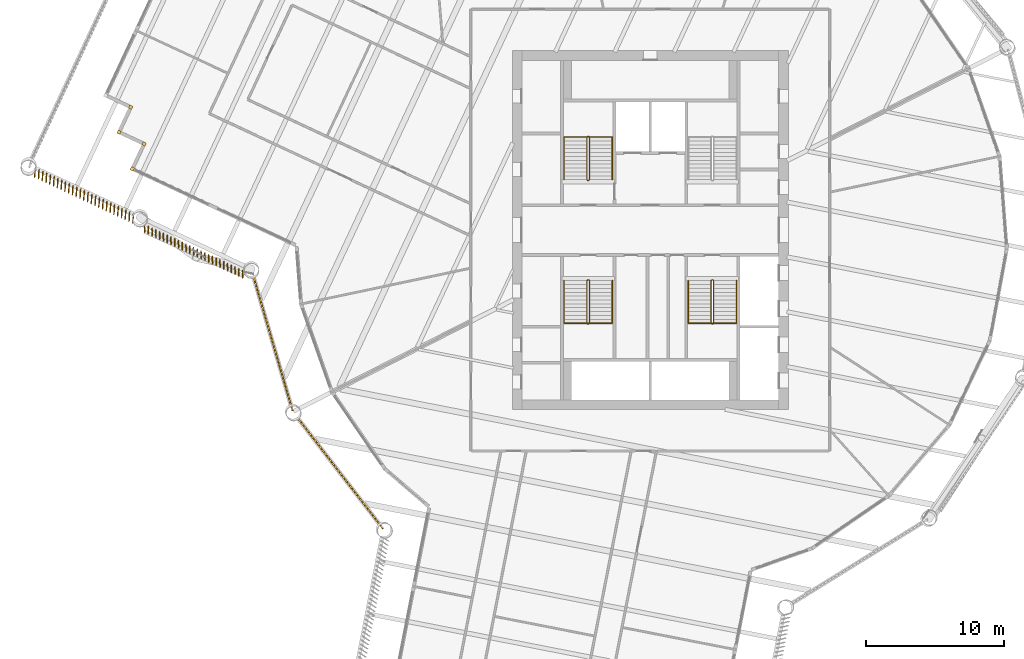
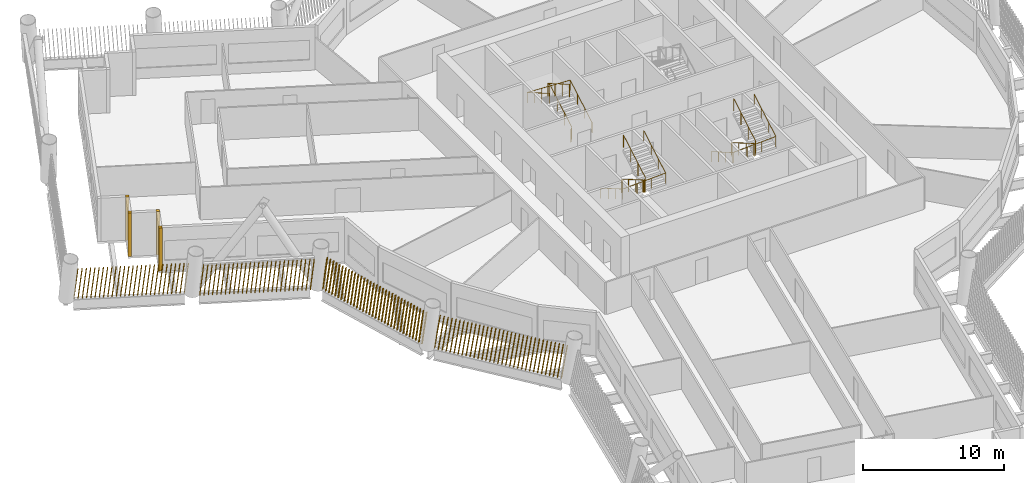
# One storey, part 21 of 24: 8 shading devices, 6 railings.
"""IFC4 building model written with IfcOpenShell, lengths in metres."""

from ifc_helpers import new_model, si_unit, direction, frame, frame_2d, origin, origin_2d, place, context, subcontext, project, spatial, rectangle, circle, composite_profile, extrude, material, type_object, element, save


model = new_model("IFC4")

# Units and contexts
model_context = context("Model", 3, precision=1e-05, world=origin(), true_north=direction((0.0, 1.0)))
body_context = subcontext(model_context, "Body", "Model", "MODEL_VIEW")
ifc_project = project(units=[si_unit("LENGTHUNIT", "METRE"), si_unit("AREAUNIT", "SQUARE_METRE"), si_unit("VOLUMEUNIT", "CUBIC_METRE"), si_unit("PLANEANGLEUNIT", "RADIAN"), si_unit("MASSUNIT", "GRAM", prefix="KILO")], contexts=[model_context])

# Site, building, storey
site_placement = place(None, origin())
site = spatial("IfcSite", under=ifc_project, at=site_placement, CompositionType="ELEMENT")
building_placement = place(site_placement, origin())
building = spatial("IfcBuilding", under=site, at=building_placement, Name="Tarsis Ring Headquarters", CompositionType="ELEMENT")
storey_placement = place(building_placement, frame((0.0, 0.0, 178.800048828125)))
storey = spatial("IfcBuildingStorey", under=building, at=storey_placement, Name="L41", CompositionType="ELEMENT", Elevation=178.800048828125)

# Railings
ifc_material_1 = material(Name="Steel S355", Category="steel")
railing_type_1 = type_object("IfcRailingType", Name="Core stair guard 1100", PredefinedType="GUARDRAIL", material=ifc_material_1)
railing_1_placement = place(storey_placement, frame((-4.5400390625, 3.610107421875, 0.0)))
element("IfcRailing", 1, at=railing_1_placement, inside=storey, type_object=railing_type_1, Name="L41 ST1 stair guard 1", PredefinedType="GUARDRAIL", context=body_context, shape_type="SweptSolid", body=[
    extrude(circle(Radius=0.02392578125, at=origin_2d()), frame((0.0, 0.0, 1.076171875), z_axis=(1.0, 0.0, 0.0), x_axis=(0.0, 1.0, 0.0)), (0.0, 0.0, 1.0), 0.080078125),
    extrude(circle(Radius=0.02392578125, at=origin_2d()), frame((0.080078125, 0.0, 1.076171875), z_axis=(0.282693820306, 0.281314826061, 0.917031173188), x_axis=(-0.705375805398, 0.708833529934, 0.0)), (0.0, 0.0, 1.0), 0.177001953125),
    extrude(circle(Radius=0.02392578125, at=origin_2d()), frame((0.130126953125, 0.0498046875, 1.23828125), z_axis=(0.0, 0.864890721111, 0.501960198159), x_axis=(-1.0, 0.0, 0.0)), (0.0, 0.0, 1.0), 3.561279296875),
    extrude(circle(Radius=0.02392578125, at=origin_2d()), frame((0.130126953125, 3.1298828125, 3.02587890625), z_axis=(-0.707106781187, 0.707106781187, 0.0), x_axis=(-0.707106781187, -0.707106781187, 0.0)), (0.0, 0.0, 1.0), 0.07080078125),
    extrude(circle(Radius=0.02392578125, at=origin_2d()), frame((0.080078125, 3.179931640625, 3.02587890625), z_axis=(-1.0, 0.0, 0.0), x_axis=(0.0, -1.0, 0.0)), (0.0, 0.0, 1.0), 0.080078125),
    extrude(circle(Radius=0.02392578125, at=origin_2d()), frame((0.0, 3.179931640625, 3.02587890625), z_axis=(-0.282227285176, -0.282227285176, 0.916894497205), x_axis=(0.707106781187, -0.707106781187, 0.0)), (0.0, 0.0, 1.0), 0.17724609375),
    extrude(circle(Radius=0.02392578125, at=origin_2d()), frame((-0.050048828125, 3.1298828125, 3.1884765625), z_axis=(0.0, -0.864920483161, 0.501908913857), x_axis=(1.0, 0.0, 0.0)), (0.0, 0.0, 1.0), 3.56103515625),
    extrude(circle(Radius=0.02099609375, at=origin_2d()), origin(), (0.0, 0.0, 1.0), 1.052001953125),
    extrude(circle(Radius=0.02099609375, at=origin_2d()), frame((0.080078125, 0.0, 0.0)), (0.0, 0.0, 1.0), 1.052001953125),
    extrude(circle(Radius=0.02099609375, at=origin_2d()), frame((0.130126953125, 0.0498046875, 0.162353515625)), (0.0, 0.0, 1.0), 1.052001953125),
    extrude(circle(Radius=0.02099609375, at=origin_2d()), frame((0.130126953125, 1.076416015625, 0.75830078125)), (0.0, 0.0, 1.0), 1.052001953125),
    extrude(circle(Radius=0.02099609375, at=origin_2d()), frame((0.130126953125, 2.103271484375, 1.35400390625)), (0.0, 0.0, 1.0), 1.052001953125),
    extrude(circle(Radius=0.02099609375, at=origin_2d()), frame((0.130126953125, 3.1298828125, 1.949951171875)), (0.0, 0.0, 1.0), 1.052001953125),
    extrude(circle(Radius=0.02099609375, at=origin_2d()), frame((0.080078125, 3.179931640625, 1.949951171875)), (0.0, 0.0, 1.0), 1.052001953125),
    extrude(circle(Radius=0.02099609375, at=origin_2d()), frame((0.0, 3.179931640625, 1.949951171875)), (0.0, 0.0, 1.0), 1.052001953125),
    extrude(circle(Radius=0.02099609375, at=origin_2d()), frame((-0.050048828125, 3.1298828125, 2.112548828125)), (0.0, 0.0, 1.0), 1.052001953125),
    extrude(circle(Radius=0.02099609375, at=origin_2d()), frame((-0.050048828125, 2.103271484375, 2.708251953125)), (0.0, 0.0, 1.0), 1.052001953125),
    extrude(circle(Radius=0.02099609375, at=origin_2d()), frame((-0.050048828125, 1.076416015625, 3.30419921875)), (0.0, 0.0, 1.0), 1.052001953125),
    extrude(circle(Radius=0.02099609375, at=origin_2d()), frame((-0.050048828125, 0.0498046875, 3.89990234375)), (0.0, 0.0, 1.0), 1.052001953125),
])
railing_2_placement = place(storey_placement, frame((-4.4599609375, -3.610107421875, 0.0)))
element("IfcRailing", 2, at=railing_2_placement, inside=storey, type_object=railing_type_1, Name="L41 ST3 stair guard 1", PredefinedType="GUARDRAIL", context=body_context, shape_type="SweptSolid", body=[
    extrude(circle(Radius=0.02392578125, at=origin_2d()), frame((0.0, 0.0, 1.076171875), z_axis=(-1.0, 0.0, 0.0), x_axis=(0.0, -1.0, 0.0)), (0.0, 0.0, 1.0), 0.080078125),
    extrude(circle(Radius=0.02392578125, at=origin_2d()), frame((-0.080078125, 0.0, 1.076171875), z_axis=(-0.282693820306, -0.281314826061, 0.917031173188), x_axis=(0.705375805398, -0.708833529934, 0.0)), (0.0, 0.0, 1.0), 0.177001953125),
    extrude(circle(Radius=0.02392578125, at=origin_2d()), frame((-0.130126953125, -0.0498046875, 1.23828125), z_axis=(0.0, -0.864890721111, 0.501960198159), x_axis=(1.0, 0.0, 0.0)), (0.0, 0.0, 1.0), 3.561279296875),
    extrude(circle(Radius=0.02392578125, at=origin_2d()), frame((-0.130126953125, -3.1298828125, 3.02587890625), z_axis=(0.707106781187, -0.707106781187, 0.0), x_axis=(0.707106781187, 0.707106781187, 0.0)), (0.0, 0.0, 1.0), 0.07080078125),
    extrude(circle(Radius=0.02392578125, at=origin_2d()), frame((-0.080078125, -3.179931640625, 3.02587890625), z_axis=(1.0, 0.0, 0.0), x_axis=(0.0, 1.0, 0.0)), (0.0, 0.0, 1.0), 0.080078125),
    extrude(circle(Radius=0.02392578125, at=origin_2d()), frame((0.0, -3.179931640625, 3.02587890625), z_axis=(0.282227285176, 0.282227285176, 0.916894497205), x_axis=(-0.707106781187, 0.707106781187, 0.0)), (0.0, 0.0, 1.0), 0.17724609375),
    extrude(circle(Radius=0.02392578125, at=origin_2d()), frame((0.050048828125, -3.1298828125, 3.1884765625), z_axis=(0.0, 0.864920483161, 0.501908913857), x_axis=(-1.0, 0.0, 0.0)), (0.0, 0.0, 1.0), 3.56103515625),
    extrude(circle(Radius=0.02099609375, at=origin_2d()), origin(), (0.0, 0.0, 1.0), 1.052001953125),
    extrude(circle(Radius=0.02099609375, at=origin_2d()), frame((-0.080078125, 0.0, 0.0)), (0.0, 0.0, 1.0), 1.052001953125),
    extrude(circle(Radius=0.02099609375, at=origin_2d()), frame((-0.130126953125, -0.0498046875, 0.162353515625)), (0.0, 0.0, 1.0), 1.052001953125),
    extrude(circle(Radius=0.02099609375, at=origin_2d()), frame((-0.130126953125, -1.076416015625, 0.75830078125)), (0.0, 0.0, 1.0), 1.052001953125),
    extrude(circle(Radius=0.02099609375, at=origin_2d()), frame((-0.130126953125, -2.103271484375, 1.35400390625)), (0.0, 0.0, 1.0), 1.052001953125),
    extrude(circle(Radius=0.02099609375, at=origin_2d()), frame((-0.130126953125, -3.1298828125, 1.949951171875)), (0.0, 0.0, 1.0), 1.052001953125),
    extrude(circle(Radius=0.02099609375, at=origin_2d()), frame((-0.080078125, -3.179931640625, 1.949951171875)), (0.0, 0.0, 1.0), 1.052001953125),
    extrude(circle(Radius=0.02099609375, at=origin_2d()), frame((0.0, -3.179931640625, 1.949951171875)), (0.0, 0.0, 1.0), 1.052001953125),
    extrude(circle(Radius=0.02099609375, at=origin_2d()), frame((0.050048828125, -3.1298828125, 2.112548828125)), (0.0, 0.0, 1.0), 1.052001953125),
    extrude(circle(Radius=0.02099609375, at=origin_2d()), frame((0.050048828125, -2.103271484375, 2.708251953125)), (0.0, 0.0, 1.0), 1.052001953125),
    extrude(circle(Radius=0.02099609375, at=origin_2d()), frame((0.050048828125, -1.076416015625, 3.30419921875)), (0.0, 0.0, 1.0), 1.052001953125),
    extrude(circle(Radius=0.02099609375, at=origin_2d()), frame((0.050048828125, -0.0498046875, 3.89990234375)), (0.0, 0.0, 1.0), 1.052001953125),
])
railing_3_placement = place(storey_placement, frame((4.5400390625, -3.610107421875, 0.0)))
element("IfcRailing", 3, at=railing_3_placement, inside=storey, type_object=railing_type_1, Name="L41 ST4 stair guard 1", PredefinedType="GUARDRAIL", context=body_context, shape_type="SweptSolid", body=[
    extrude(circle(Radius=0.02392578125, at=origin_2d()), frame((0.0, 0.0, 1.076171875), z_axis=(-1.0, 0.0, 0.0), x_axis=(0.0, -1.0, 0.0)), (0.0, 0.0, 1.0), 0.080078125),
    extrude(circle(Radius=0.02392578125, at=origin_2d()), frame((-0.080078125, 0.0, 1.076171875), z_axis=(-0.282693820306, -0.281314826061, 0.917031173188), x_axis=(0.705375805398, -0.708833529934, 0.0)), (0.0, 0.0, 1.0), 0.177001953125),
    extrude(circle(Radius=0.02392578125, at=origin_2d()), frame((-0.130126953125, -0.0498046875, 1.23828125), z_axis=(0.0, -0.864890721111, 0.501960198159), x_axis=(1.0, 0.0, 0.0)), (0.0, 0.0, 1.0), 3.561279296875),
    extrude(circle(Radius=0.02392578125, at=origin_2d()), frame((-0.130126953125, -3.1298828125, 3.02587890625), z_axis=(0.707106781187, -0.707106781187, 0.0), x_axis=(0.707106781187, 0.707106781187, 0.0)), (0.0, 0.0, 1.0), 0.07080078125),
    extrude(circle(Radius=0.02392578125, at=origin_2d()), frame((-0.080078125, -3.179931640625, 3.02587890625), z_axis=(1.0, 0.0, 0.0), x_axis=(0.0, 1.0, 0.0)), (0.0, 0.0, 1.0), 0.080078125),
    extrude(circle(Radius=0.02392578125, at=origin_2d()), frame((0.0, -3.179931640625, 3.02587890625), z_axis=(0.282227285176, 0.282227285176, 0.916894497205), x_axis=(-0.707106781187, 0.707106781187, 0.0)), (0.0, 0.0, 1.0), 0.17724609375),
    extrude(circle(Radius=0.02392578125, at=origin_2d()), frame((0.050048828125, -3.1298828125, 3.1884765625), z_axis=(0.0, 0.864920483161, 0.501908913857), x_axis=(-1.0, 0.0, 0.0)), (0.0, 0.0, 1.0), 3.56103515625),
    extrude(circle(Radius=0.02099609375, at=origin_2d()), origin(), (0.0, 0.0, 1.0), 1.052001953125),
    extrude(circle(Radius=0.02099609375, at=origin_2d()), frame((-0.080078125, 0.0, 0.0)), (0.0, 0.0, 1.0), 1.052001953125),
    extrude(circle(Radius=0.02099609375, at=origin_2d()), frame((-0.130126953125, -0.0498046875, 0.162353515625)), (0.0, 0.0, 1.0), 1.052001953125),
    extrude(circle(Radius=0.02099609375, at=origin_2d()), frame((-0.130126953125, -1.076416015625, 0.75830078125)), (0.0, 0.0, 1.0), 1.052001953125),
    extrude(circle(Radius=0.02099609375, at=origin_2d()), frame((-0.130126953125, -2.103271484375, 1.35400390625)), (0.0, 0.0, 1.0), 1.052001953125),
    extrude(circle(Radius=0.02099609375, at=origin_2d()), frame((-0.130126953125, -3.1298828125, 1.949951171875)), (0.0, 0.0, 1.0), 1.052001953125),
    extrude(circle(Radius=0.02099609375, at=origin_2d()), frame((-0.080078125, -3.179931640625, 1.949951171875)), (0.0, 0.0, 1.0), 1.052001953125),
    extrude(circle(Radius=0.02099609375, at=origin_2d()), frame((0.0, -3.179931640625, 1.949951171875)), (0.0, 0.0, 1.0), 1.052001953125),
    extrude(circle(Radius=0.02099609375, at=origin_2d()), frame((0.050048828125, -3.1298828125, 2.112548828125)), (0.0, 0.0, 1.0), 1.052001953125),
    extrude(circle(Radius=0.02099609375, at=origin_2d()), frame((0.050048828125, -2.103271484375, 2.708251953125)), (0.0, 0.0, 1.0), 1.052001953125),
    extrude(circle(Radius=0.02099609375, at=origin_2d()), frame((0.050048828125, -1.076416015625, 3.30419921875)), (0.0, 0.0, 1.0), 1.052001953125),
    extrude(circle(Radius=0.02099609375, at=origin_2d()), frame((0.050048828125, -0.0498046875, 3.89990234375)), (0.0, 0.0, 1.0), 1.052001953125),
])
railing_type_2 = type_object("IfcRailingType", Name="Core stair handrail 900", PredefinedType="HANDRAIL", material=ifc_material_1)
railing_4_placement = place(storey_placement, frame((-2.75, 3.659912109375, 0.162353515625)))
element("IfcRailing", 4, at=railing_4_placement, inside=storey, type_object=railing_type_2, Name="L41 ST1 stair handrail 1", PredefinedType="HANDRAIL", context=body_context, shape_type="SweptSolid", body=[
    extrude(circle(Radius=0.02392578125, at=origin_2d()), frame((0.0, 0.0, 0.8759765625), z_axis=(0.0, 0.864890721111, 0.501960198159), x_axis=(-1.0, 0.0, 0.0)), (0.0, 0.0, 1.0), 3.561279296875),
    extrude(circle(Radius=0.02392578125, at=origin_2d()), frame((0.0, 3.080078125, 2.66357421875), z_axis=(-0.998922641604, 0.0, 0.046406422943), x_axis=(0.0, -1.0, 0.0)), (0.0, 0.0, 1.0), 3.503662109375),
    extrude(circle(Radius=0.02392578125, at=origin_2d()), frame((-3.5, 3.080078125, 2.826171875), z_axis=(0.0, -0.864920483161, 0.501908913857), x_axis=(1.0, 0.0, 0.0)), (0.0, 0.0, 1.0), 3.56103515625),
    extrude(circle(Radius=0.02099609375, at=origin_2d()), origin(), (0.0, 0.0, 1.0), 0.851806640625),
    extrude(circle(Radius=0.02099609375, at=origin_2d()), frame((0.0, 1.026611328125, 0.595947265625)), (0.0, 0.0, 1.0), 0.851806640625),
    extrude(circle(Radius=0.02099609375, at=origin_2d()), frame((0.0, 2.053466796875, 1.191650390625)), (0.0, 0.0, 1.0), 0.851806640625),
    extrude(circle(Radius=0.02099609375, at=origin_2d()), frame((0.0, 3.080078125, 1.78759765625)), (0.0, 0.0, 1.0), 0.851806640625),
    extrude(circle(Radius=0.02099609375, at=origin_2d()), frame((-1.166748046875, 3.080078125, 1.841796875)), (0.0, 0.0, 1.0), 0.851806640625),
    extrude(circle(Radius=0.02099609375, at=origin_2d()), frame((-2.333251953125, 3.080078125, 1.89599609375)), (0.0, 0.0, 1.0), 0.851806640625),
    extrude(circle(Radius=0.02099609375, at=origin_2d()), frame((-3.5, 3.080078125, 1.9501953125)), (0.0, 0.0, 1.0), 0.851806640625),
    extrude(circle(Radius=0.02099609375, at=origin_2d()), frame((-3.5, 2.053466796875, 2.5458984375)), (0.0, 0.0, 1.0), 0.851806640625),
    extrude(circle(Radius=0.02099609375, at=origin_2d()), frame((-3.5, 1.026611328125, 3.141845703125)), (0.0, 0.0, 1.0), 0.851806640625),
    extrude(circle(Radius=0.02099609375, at=origin_2d()), frame((-3.5, 0.0, 3.737548828125)), (0.0, 0.0, 1.0), 0.851806640625),
])
railing_5_placement = place(storey_placement, frame((-6.25, -3.659912109375, 0.162353515625)))
element("IfcRailing", 5, at=railing_5_placement, inside=storey, type_object=railing_type_2, Name="L41 ST3 stair handrail 1", PredefinedType="HANDRAIL", context=body_context, shape_type="SweptSolid", body=[
    extrude(circle(Radius=0.02392578125, at=origin_2d()), frame((0.0, 0.0, 0.8759765625), z_axis=(0.0, -0.864890721111, 0.501960198159), x_axis=(1.0, 0.0, 0.0)), (0.0, 0.0, 1.0), 3.561279296875),
    extrude(circle(Radius=0.02392578125, at=origin_2d()), frame((0.0, -3.080078125, 2.66357421875), z_axis=(0.998922641604, 0.0, 0.046406422943), x_axis=(0.0, 1.0, 0.0)), (0.0, 0.0, 1.0), 3.503662109375),
    extrude(circle(Radius=0.02392578125, at=origin_2d()), frame((3.5, -3.080078125, 2.826171875), z_axis=(0.0, 0.864920483161, 0.501908913857), x_axis=(-1.0, 0.0, 0.0)), (0.0, 0.0, 1.0), 3.56103515625),
    extrude(circle(Radius=0.02099609375, at=origin_2d()), origin(), (0.0, 0.0, 1.0), 0.851806640625),
    extrude(circle(Radius=0.02099609375, at=origin_2d()), frame((0.0, -1.026611328125, 0.595947265625)), (0.0, 0.0, 1.0), 0.851806640625),
    extrude(circle(Radius=0.02099609375, at=origin_2d()), frame((0.0, -2.053466796875, 1.191650390625)), (0.0, 0.0, 1.0), 0.851806640625),
    extrude(circle(Radius=0.02099609375, at=origin_2d()), frame((0.0, -3.080078125, 1.78759765625)), (0.0, 0.0, 1.0), 0.851806640625),
    extrude(circle(Radius=0.02099609375, at=origin_2d()), frame((1.166748046875, -3.080078125, 1.841796875)), (0.0, 0.0, 1.0), 0.851806640625),
    extrude(circle(Radius=0.02099609375, at=origin_2d()), frame((2.333251953125, -3.080078125, 1.89599609375)), (0.0, 0.0, 1.0), 0.851806640625),
    extrude(circle(Radius=0.02099609375, at=origin_2d()), frame((3.5, -3.080078125, 1.9501953125)), (0.0, 0.0, 1.0), 0.851806640625),
    extrude(circle(Radius=0.02099609375, at=origin_2d()), frame((3.5, -2.053466796875, 2.5458984375)), (0.0, 0.0, 1.0), 0.851806640625),
    extrude(circle(Radius=0.02099609375, at=origin_2d()), frame((3.5, -1.026611328125, 3.141845703125)), (0.0, 0.0, 1.0), 0.851806640625),
    extrude(circle(Radius=0.02099609375, at=origin_2d()), frame((3.5, 0.0, 3.737548828125)), (0.0, 0.0, 1.0), 0.851806640625),
])
railing_6_placement = place(storey_placement, frame((2.75, -3.659912109375, 0.162353515625)))
element("IfcRailing", 6, at=railing_6_placement, inside=storey, type_object=railing_type_2, Name="L41 ST4 stair handrail 1", PredefinedType="HANDRAIL", context=body_context, shape_type="SweptSolid", body=[
    extrude(circle(Radius=0.02392578125, at=origin_2d()), frame((0.0, 0.0, 0.8759765625), z_axis=(0.0, -0.864890721111, 0.501960198159), x_axis=(1.0, 0.0, 0.0)), (0.0, 0.0, 1.0), 3.561279296875),
    extrude(circle(Radius=0.02392578125, at=origin_2d()), frame((0.0, -3.080078125, 2.66357421875), z_axis=(0.998922641604, 0.0, 0.046406422943), x_axis=(0.0, 1.0, 0.0)), (0.0, 0.0, 1.0), 3.503662109375),
    extrude(circle(Radius=0.02392578125, at=origin_2d()), frame((3.5, -3.080078125, 2.826171875), z_axis=(0.0, 0.864920483161, 0.501908913857), x_axis=(-1.0, 0.0, 0.0)), (0.0, 0.0, 1.0), 3.56103515625),
    extrude(circle(Radius=0.02099609375, at=origin_2d()), origin(), (0.0, 0.0, 1.0), 0.851806640625),
    extrude(circle(Radius=0.02099609375, at=origin_2d()), frame((0.0, -1.026611328125, 0.595947265625)), (0.0, 0.0, 1.0), 0.851806640625),
    extrude(circle(Radius=0.02099609375, at=origin_2d()), frame((0.0, -2.053466796875, 1.191650390625)), (0.0, 0.0, 1.0), 0.851806640625),
    extrude(circle(Radius=0.02099609375, at=origin_2d()), frame((0.0, -3.080078125, 1.78759765625)), (0.0, 0.0, 1.0), 0.851806640625),
    extrude(circle(Radius=0.02099609375, at=origin_2d()), frame((1.166748046875, -3.080078125, 1.841796875)), (0.0, 0.0, 1.0), 0.851806640625),
    extrude(circle(Radius=0.02099609375, at=origin_2d()), frame((2.333251953125, -3.080078125, 1.89599609375)), (0.0, 0.0, 1.0), 0.851806640625),
    extrude(circle(Radius=0.02099609375, at=origin_2d()), frame((3.5, -3.080078125, 1.9501953125)), (0.0, 0.0, 1.0), 0.851806640625),
    extrude(circle(Radius=0.02099609375, at=origin_2d()), frame((3.5, -2.053466796875, 2.5458984375)), (0.0, 0.0, 1.0), 0.851806640625),
    extrude(circle(Radius=0.02099609375, at=origin_2d()), frame((3.5, -1.026611328125, 3.141845703125)), (0.0, 0.0, 1.0), 0.851806640625),
    extrude(circle(Radius=0.02099609375, at=origin_2d()), frame((3.5, 0.0, 3.737548828125)), (0.0, 0.0, 1.0), 0.851806640625),
])

# Shading devices
ifc_material_2 = material(Name="Terracotta baguette", Category="masonry")
shading_device_type_1 = type_object("IfcShadingDeviceType", Name="Terracotta baguette screen", PredefinedType="USERDEFINED", material=ifc_material_2)
shading_device_1_placement = place(storey_placement, frame((-25.591064453125, -13.556640625, 0.0), z_axis=(0.0, 0.0, 1.0), x_axis=(0.610493441599, -0.792029981262, 0.0)))
element("IfcShadingDevice", 7, at=shading_device_1_placement, inside=storey, type_object=shading_device_type_1, Name="Baguette screen L41-00", ObjectType="Terracotta baguette screen", PredefinedType="USERDEFINED", context=body_context, shape_type="SweptSolid", body=[
    extrude(composite_profile([rectangle(XDim=0.06005859375, YDim=0.1201171875, at=frame_2d((0.030029296875, 0.0))), rectangle(XDim=0.06005859375, YDim=0.1201171875, at=frame_2d((0.33349609375, 0.0))), rectangle(XDim=0.06005859375, YDim=0.1201171875, at=frame_2d((0.636962890625, 0.0))), rectangle(XDim=0.06005859375, YDim=0.1201171875, at=frame_2d((0.9404296875, 0.0))), rectangle(XDim=0.06005859375, YDim=0.1201171875, at=frame_2d((1.243896484375, 0.0))), rectangle(XDim=0.06005859375, YDim=0.1201171875, at=frame_2d((1.54736328125, 0.0))), rectangle(XDim=0.06005859375, YDim=0.1201171875, at=frame_2d((1.85107421875, 0.0))), rectangle(XDim=0.06005859375, YDim=0.1201171875, at=frame_2d((2.154541015625, 0.0))), rectangle(XDim=0.06005859375, YDim=0.1201171875, at=frame_2d((2.4580078125, 0.0))), rectangle(XDim=0.06005859375, YDim=0.1201171875, at=frame_2d((2.761474609375, 0.0))), rectangle(XDim=0.06005859375, YDim=0.1201171875, at=frame_2d((3.06494140625, 0.0))), rectangle(XDim=0.06005859375, YDim=0.1201171875, at=frame_2d((3.368408203125, 0.0))), rectangle(XDim=0.06005859375, YDim=0.1201171875, at=frame_2d((3.671875, 0.0))), rectangle(XDim=0.06005859375, YDim=0.1201171875, at=frame_2d((3.975341796875, 0.0))), rectangle(XDim=0.06005859375, YDim=0.1201171875, at=frame_2d((4.27880859375, 0.0))), rectangle(XDim=0.06005859375, YDim=0.1201171875, at=frame_2d((4.582275390625, 0.0))), rectangle(XDim=0.06005859375, YDim=0.1201171875, at=frame_2d((4.8857421875, 0.0))), rectangle(XDim=0.06005859375, YDim=0.1201171875, at=frame_2d((5.189453125, 0.0))), rectangle(XDim=0.06005859375, YDim=0.1201171875, at=frame_2d((5.492919921875, 0.0))), rectangle(XDim=0.06005859375, YDim=0.1201171875, at=frame_2d((5.79638671875, 0.0))), rectangle(XDim=0.06005859375, YDim=0.1201171875, at=frame_2d((6.099853515625, 0.0))), rectangle(XDim=0.06005859375, YDim=0.1201171875, at=frame_2d((6.4033203125, 0.0))), rectangle(XDim=0.06005859375, YDim=0.1201171875, at=frame_2d((6.706787109375, 0.0))), rectangle(XDim=0.06005859375, YDim=0.1201171875, at=frame_2d((7.01025390625, 0.0))), rectangle(XDim=0.06005859375, YDim=0.1201171875, at=frame_2d((7.313720703125, 0.0))), rectangle(XDim=0.06005859375, YDim=0.1201171875, at=frame_2d((7.6171875, 0.0))), rectangle(XDim=0.06005859375, YDim=0.1201171875, at=frame_2d((7.920654296875, 0.0))), rectangle(XDim=0.06005859375, YDim=0.1201171875, at=frame_2d((8.224365234375, 0.0))), rectangle(XDim=0.06005859375, YDim=0.1201171875, at=frame_2d((8.52783203125, 0.0))), rectangle(XDim=0.06005859375, YDim=0.1201171875, at=frame_2d((8.831298828125, 0.0))), rectangle(XDim=0.06005859375, YDim=0.1201171875, at=frame_2d((9.134765625, 0.0))), rectangle(XDim=0.06005859375, YDim=0.1201171875, at=frame_2d((9.438232421875, 0.0))), rectangle(XDim=0.06005859375, YDim=0.1201171875, at=frame_2d((9.74169921875, 0.0)))]), origin(), (0.150265209962, 0.001180627595, 0.988645018595), 2.98388671875),
])
shading_device_2_placement = place(storey_placement, frame((-44.5869140625, 4.510009765625, 0.0), z_axis=(0.0, 0.0, 1.0), x_axis=(0.905863816115, -0.423566485418, 0.0)))
element("IfcShadingDevice", 8, at=shading_device_2_placement, inside=storey, type_object=shading_device_type_1, Name="Baguette screen L41-19", ObjectType="Terracotta baguette screen", PredefinedType="USERDEFINED", context=body_context, shape_type="SweptSolid", body=[
    extrude(composite_profile([rectangle(XDim=0.06005859375, YDim=0.1201171875, at=frame_2d((0.030029296875, 0.0))), rectangle(XDim=0.06005859375, YDim=0.1201171875, at=frame_2d((0.33154296875, 0.0))), rectangle(XDim=0.06005859375, YDim=0.1201171875, at=frame_2d((0.63330078125, 0.0))), rectangle(XDim=0.06005859375, YDim=0.1201171875, at=frame_2d((0.934814453125, 0.0))), rectangle(XDim=0.06005859375, YDim=0.1201171875, at=frame_2d((1.236572265625, 0.0))), rectangle(XDim=0.06005859375, YDim=0.1201171875, at=frame_2d((1.5380859375, 0.0))), rectangle(XDim=0.06005859375, YDim=0.1201171875, at=frame_2d((1.83984375, 0.0))), rectangle(XDim=0.06005859375, YDim=0.1201171875, at=frame_2d((2.141357421875, 0.0))), rectangle(XDim=0.06005859375, YDim=0.1201171875, at=frame_2d((2.443115234375, 0.0))), rectangle(XDim=0.06005859375, YDim=0.1201171875, at=frame_2d((2.74462890625, 0.0))), rectangle(XDim=0.06005859375, YDim=0.1201171875, at=frame_2d((3.04638671875, 0.0))), rectangle(XDim=0.06005859375, YDim=0.1201171875, at=frame_2d((3.347900390625, 0.0))), rectangle(XDim=0.06005859375, YDim=0.1201171875, at=frame_2d((3.649658203125, 0.0))), rectangle(XDim=0.06005859375, YDim=0.1201171875, at=frame_2d((3.951171875, 0.0))), rectangle(XDim=0.06005859375, YDim=0.1201171875, at=frame_2d((4.252685546875, 0.0))), rectangle(XDim=0.06005859375, YDim=0.1201171875, at=frame_2d((4.554443359375, 0.0))), rectangle(XDim=0.06005859375, YDim=0.1201171875, at=frame_2d((4.85595703125, 0.0))), rectangle(XDim=0.06005859375, YDim=0.1201171875, at=frame_2d((5.15771484375, 0.0))), rectangle(XDim=0.06005859375, YDim=0.1201171875, at=frame_2d((5.459228515625, 0.0))), rectangle(XDim=0.06005859375, YDim=0.1201171875, at=frame_2d((5.760986328125, 0.0))), rectangle(XDim=0.06005859375, YDim=0.1201171875, at=frame_2d((6.0625, 0.0))), rectangle(XDim=0.06005859375, YDim=0.1201171875, at=frame_2d((6.3642578125, 0.0))), rectangle(XDim=0.06005859375, YDim=0.1201171875, at=frame_2d((6.665771484375, 0.0))), rectangle(XDim=0.06005859375, YDim=0.1201171875, at=frame_2d((6.967529296875, 0.0))), rectangle(XDim=0.06005859375, YDim=0.1201171875, at=frame_2d((7.26904296875, 0.0))), rectangle(XDim=0.06005859375, YDim=0.1201171875, at=frame_2d((7.57080078125, 0.0))), rectangle(XDim=0.06005859375, YDim=0.1201171875, at=frame_2d((7.872314453125, 0.0)))]), origin(), (0.078547893813, -0.198865439347, 0.976873976218), 3.019775390625),
])
shading_device_3_placement = place(storey_placement, frame((-36.681396484375, 0.399658203125, 0.0), z_axis=(0.0, 0.0, 1.0), x_axis=(0.905860907715, -0.423579571786, 0.0)))
element("IfcShadingDevice", 9, at=shading_device_3_placement, inside=storey, type_object=shading_device_type_1, Name="Baguette screen L41-20", ObjectType="Terracotta baguette screen", PredefinedType="USERDEFINED", context=body_context, shape_type="SweptSolid", body=[
    extrude(composite_profile([rectangle(XDim=0.06005859375, YDim=0.1201171875, at=frame_2d((0.030029296875, 0.0))), rectangle(XDim=0.06005859375, YDim=0.1201171875, at=frame_2d((0.33154296875, 0.0))), rectangle(XDim=0.06005859375, YDim=0.1201171875, at=frame_2d((0.63330078125, 0.0))), rectangle(XDim=0.06005859375, YDim=0.1201171875, at=frame_2d((0.934814453125, 0.0))), rectangle(XDim=0.06005859375, YDim=0.1201171875, at=frame_2d((1.236572265625, 0.0))), rectangle(XDim=0.06005859375, YDim=0.1201171875, at=frame_2d((1.5380859375, 0.0))), rectangle(XDim=0.06005859375, YDim=0.1201171875, at=frame_2d((1.83984375, 0.0))), rectangle(XDim=0.06005859375, YDim=0.1201171875, at=frame_2d((2.141357421875, 0.0))), rectangle(XDim=0.06005859375, YDim=0.1201171875, at=frame_2d((2.443115234375, 0.0))), rectangle(XDim=0.06005859375, YDim=0.1201171875, at=frame_2d((2.74462890625, 0.0))), rectangle(XDim=0.06005859375, YDim=0.1201171875, at=frame_2d((3.04638671875, 0.0))), rectangle(XDim=0.06005859375, YDim=0.1201171875, at=frame_2d((3.347900390625, 0.0))), rectangle(XDim=0.06005859375, YDim=0.1201171875, at=frame_2d((3.649658203125, 0.0))), rectangle(XDim=0.06005859375, YDim=0.1201171875, at=frame_2d((3.951171875, 0.0))), rectangle(XDim=0.06005859375, YDim=0.1201171875, at=frame_2d((4.252685546875, 0.0))), rectangle(XDim=0.06005859375, YDim=0.1201171875, at=frame_2d((4.554443359375, 0.0))), rectangle(XDim=0.06005859375, YDim=0.1201171875, at=frame_2d((4.85595703125, 0.0))), rectangle(XDim=0.06005859375, YDim=0.1201171875, at=frame_2d((5.15771484375, 0.0))), rectangle(XDim=0.06005859375, YDim=0.1201171875, at=frame_2d((5.459228515625, 0.0))), rectangle(XDim=0.06005859375, YDim=0.1201171875, at=frame_2d((5.760986328125, 0.0))), rectangle(XDim=0.06005859375, YDim=0.1201171875, at=frame_2d((6.0625, 0.0))), rectangle(XDim=0.06005859375, YDim=0.1201171875, at=frame_2d((6.3642578125, 0.0))), rectangle(XDim=0.06005859375, YDim=0.1201171875, at=frame_2d((6.665771484375, 0.0))), rectangle(XDim=0.06005859375, YDim=0.1201171875, at=frame_2d((6.967529296875, 0.0))), rectangle(XDim=0.06005859375, YDim=0.1201171875, at=frame_2d((7.26904296875, 0.0))), rectangle(XDim=0.06005859375, YDim=0.1201171875, at=frame_2d((7.57080078125, 0.0))), rectangle(XDim=0.06005859375, YDim=0.1201171875, at=frame_2d((7.872314453125, 0.0)))]), origin(), (0.080787298271, -0.153782066041, 0.984796673736), 2.99560546875),
])
shading_device_4_placement = place(storey_placement, frame((-28.771484375, -3.299560546875, 0.0), z_axis=(0.0, 0.0, 1.0), x_axis=(0.279925046846, -0.960024984385, 0.0)))
element("IfcShadingDevice", 10, at=shading_device_4_placement, inside=storey, type_object=shading_device_type_1, Name="Baguette screen L41-21", ObjectType="Terracotta baguette screen", PredefinedType="USERDEFINED", context=body_context, shape_type="SweptSolid", body=[
    extrude(composite_profile([rectangle(XDim=0.06005859375, YDim=0.1201171875, at=frame_2d((0.030029296875, 0.0))), rectangle(XDim=0.06005859375, YDim=0.1201171875, at=frame_2d((0.33349609375, 0.0))), rectangle(XDim=0.06005859375, YDim=0.1201171875, at=frame_2d((0.636962890625, 0.0))), rectangle(XDim=0.06005859375, YDim=0.1201171875, at=frame_2d((0.9404296875, 0.0))), rectangle(XDim=0.06005859375, YDim=0.1201171875, at=frame_2d((1.243896484375, 0.0))), rectangle(XDim=0.06005859375, YDim=0.1201171875, at=frame_2d((1.54736328125, 0.0))), rectangle(XDim=0.06005859375, YDim=0.1201171875, at=frame_2d((1.85107421875, 0.0))), rectangle(XDim=0.06005859375, YDim=0.1201171875, at=frame_2d((2.154541015625, 0.0))), rectangle(XDim=0.06005859375, YDim=0.1201171875, at=frame_2d((2.4580078125, 0.0))), rectangle(XDim=0.06005859375, YDim=0.1201171875, at=frame_2d((2.761474609375, 0.0))), rectangle(XDim=0.06005859375, YDim=0.1201171875, at=frame_2d((3.06494140625, 0.0))), rectangle(XDim=0.06005859375, YDim=0.1201171875, at=frame_2d((3.368408203125, 0.0))), rectangle(XDim=0.06005859375, YDim=0.1201171875, at=frame_2d((3.671875, 0.0))), rectangle(XDim=0.06005859375, YDim=0.1201171875, at=frame_2d((3.975341796875, 0.0))), rectangle(XDim=0.06005859375, YDim=0.1201171875, at=frame_2d((4.27880859375, 0.0))), rectangle(XDim=0.06005859375, YDim=0.1201171875, at=frame_2d((4.582275390625, 0.0))), rectangle(XDim=0.06005859375, YDim=0.1201171875, at=frame_2d((4.8857421875, 0.0))), rectangle(XDim=0.06005859375, YDim=0.1201171875, at=frame_2d((5.189453125, 0.0))), rectangle(XDim=0.06005859375, YDim=0.1201171875, at=frame_2d((5.492919921875, 0.0))), rectangle(XDim=0.06005859375, YDim=0.1201171875, at=frame_2d((5.79638671875, 0.0))), rectangle(XDim=0.06005859375, YDim=0.1201171875, at=frame_2d((6.099853515625, 0.0))), rectangle(XDim=0.06005859375, YDim=0.1201171875, at=frame_2d((6.4033203125, 0.0))), rectangle(XDim=0.06005859375, YDim=0.1201171875, at=frame_2d((6.706787109375, 0.0))), rectangle(XDim=0.06005859375, YDim=0.1201171875, at=frame_2d((7.01025390625, 0.0))), rectangle(XDim=0.06005859375, YDim=0.1201171875, at=frame_2d((7.313720703125, 0.0))), rectangle(XDim=0.06005859375, YDim=0.1201171875, at=frame_2d((7.6171875, 0.0))), rectangle(XDim=0.06005859375, YDim=0.1201171875, at=frame_2d((7.920654296875, 0.0))), rectangle(XDim=0.06005859375, YDim=0.1201171875, at=frame_2d((8.224365234375, 0.0))), rectangle(XDim=0.06005859375, YDim=0.1201171875, at=frame_2d((8.52783203125, 0.0))), rectangle(XDim=0.06005859375, YDim=0.1201171875, at=frame_2d((8.831298828125, 0.0))), rectangle(XDim=0.06005859375, YDim=0.1201171875, at=frame_2d((9.134765625, 0.0))), rectangle(XDim=0.06005859375, YDim=0.1201171875, at=frame_2d((9.438232421875, 0.0))), rectangle(XDim=0.06005859375, YDim=0.1201171875, at=frame_2d((9.74169921875, 0.0)))]), origin(), (0.150264937482, 0.001178567902, 0.988645062467), 2.98388671875),
])
shading_device_type_2 = type_object("IfcShadingDeviceType", Name="Terracotta corner baguette 250x250", PredefinedType="USERDEFINED", material=ifc_material_2)
for number, where, z_axis, x_axis, name in (
    (11, (-37.52783203125, 4.438232421875, 0.0), (0.0, 0.0, 1.0), (-0.423567113136, -0.90586472537, 0.0), "Corner baguette L41-01"),
    (12, (-37.645263671875, 8.908935546875, 0.0), (0.0, 0.0, 1.0), (0.90586500629, -0.423566512344, 0.0), "Corner baguette L41-38"),
    (13, (-38.492431640625, 7.09716796875, 0.0), (0.0, 0.0, 1.0), (-0.42356731867, -0.905864629266, 0.0), "Corner baguette L41-39"),
    (14, (-36.6806640625, 6.25, 0.0), (0.0, 0.0, 1.0), (0.905864629266, -0.42356731867, 0.0), "Corner baguette L41-40"),
):
    element("IfcShadingDevice", number, at=place(storey_placement, frame(where, z_axis=z_axis, x_axis=x_axis)), inside=storey, type_object=shading_device_type_2, Name=name, ObjectType="Terracotta corner baguette", PredefinedType="USERDEFINED", context=body_context, shape_type="SweptSolid", body=[
        extrude(rectangle(XDim=0.25, YDim=0.25, at=origin_2d()), origin(), (0.0, 0.0, 1.0), 3.739990234375),
    ])

save(model, "model.ifc")
